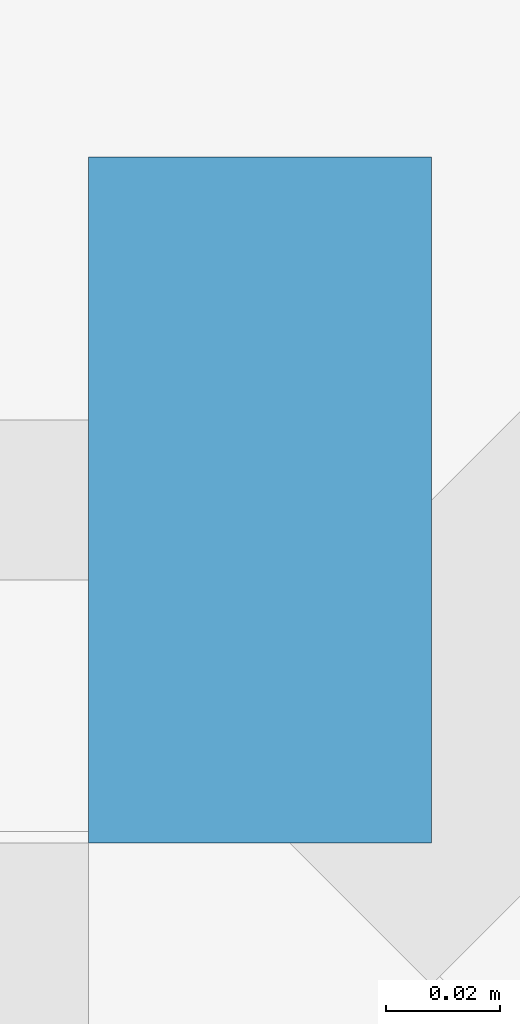
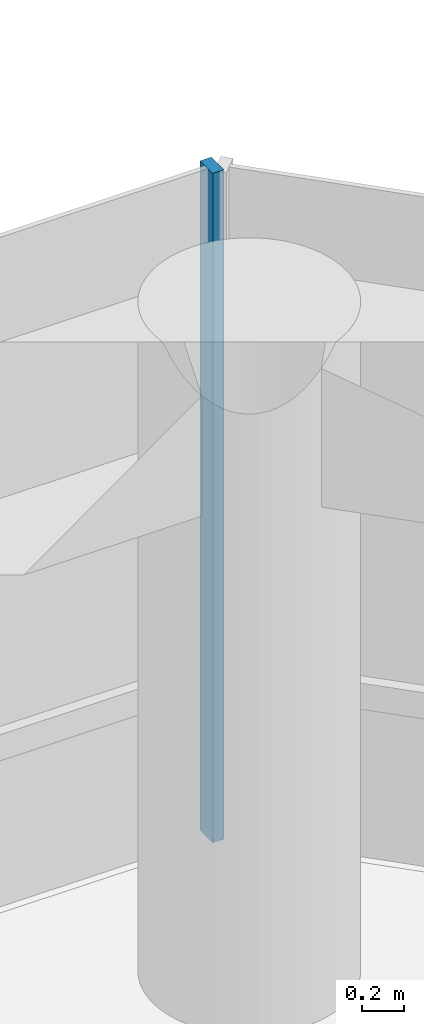
# One storey, part 21 of 31: 1 member, 1 element without a shape of its own.
"""IFC4 building model written with IfcOpenShell, lengths in metres."""

from ifc_helpers import new_model, si_unit, direction, frame, origin, origin_2d, place, context, subcontext, project, spatial, rectangle, extrude, material, layer, layer_set, material_profile, profile_set, type_object, element, aggregate, save


model = new_model("IFC4")

# Units and contexts
model_context = context("Model", 3, precision=1e-05, world=origin(), true_north=direction((0.0, 1.0)))
body_context = subcontext(model_context, "Body", "Model", "MODEL_VIEW")
ifc_project = project(units=[si_unit("LENGTHUNIT", "METRE"), si_unit("AREAUNIT", "SQUARE_METRE"), si_unit("VOLUMEUNIT", "CUBIC_METRE"), si_unit("PLANEANGLEUNIT", "RADIAN"), si_unit("MASSUNIT", "GRAM", prefix="KILO")], contexts=[model_context])

# Site, building, storey
site_placement = place(None, origin())
site = spatial("IfcSite", under=ifc_project, at=site_placement, CompositionType="ELEMENT")
building_placement = place(site_placement, origin())
building = spatial("IfcBuilding", under=site, at=building_placement, Name="Welwitschia Terrace Campus", CompositionType="ELEMENT")
storey_placement = place(building_placement, frame((0.0, 0.0, 29.0)))
storey = spatial("IfcBuildingStorey", under=building, at=storey_placement, Name="L06", CompositionType="ELEMENT", Elevation=29.0)

# Curtain wall, member
ifc_material_1 = material(Name="Bronze anodised aluminium", Category="aluminium")
ifc_layer = layer(ifc_material_1, 0.1201171875)
ifc_layer_set = layer_set([ifc_layer], Name="Bronze anodised aluminium")
curtain_wall_type = type_object("IfcCurtainWallType", Name="Curtain wall CW2 tower 6000", PredefinedType="NOTDEFINED", material=ifc_layer_set)
curtain_wall_placement = place(storey_placement, origin())
curtain_wall = element("IfcCurtainWall", 1, at=curtain_wall_placement, inside=storey, type_object=curtain_wall_type, Name="CW L06.9.0", PredefinedType="NOTDEFINED")
ifc_material_2 = material(Name="Bronze anodised aluminium", Category="aluminium")
ifc_material_profile = material_profile(ifc_material_2, rectangle(XDim=0.1201171875, YDim=0.06005859375, at=origin_2d()))
ifc_profile_set = profile_set([ifc_material_profile], Name="Bronze anodised aluminium")
member_type = type_object("IfcMemberType", Name="Mullion 60x120", PredefinedType="MULLION", material=ifc_profile_set)
member_placement = place(storey_placement, frame((60.408203125, 21.05810546875, 0.0), z_axis=(0.0, 0.0, 1.0), x_axis=(0.0, -1.0, 0.0)))
member = element("IfcMember", 2, at=member_placement, type_object=member_type, Name="Mullion L06.9.0.0", PredefinedType="MULLION", context=body_context, shape_type="SweptSolid", body=[
    extrude(rectangle(XDim=0.1201171875, YDim=0.06005859375, at=origin_2d()), origin(), (0.0, 0.0, 1.0), 3.85009765625),
])
aggregate(curtain_wall, [member])

save(model, "model.ifc")
